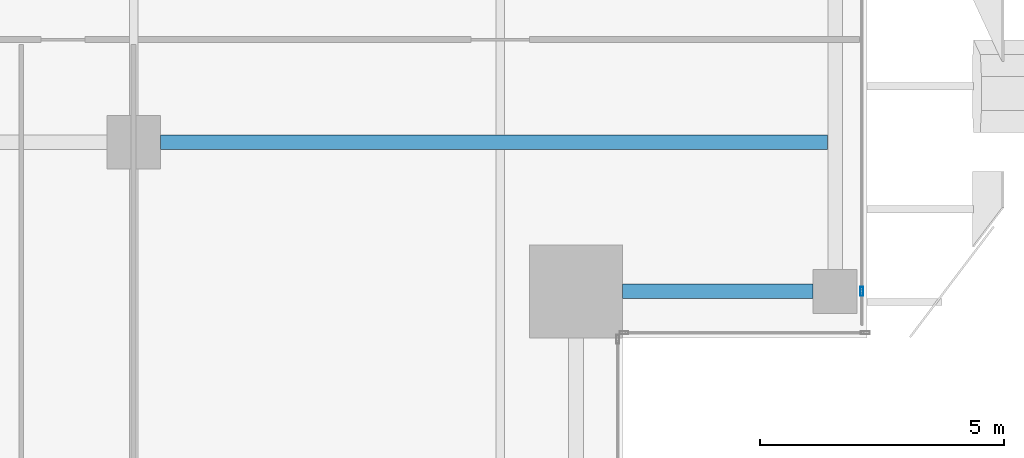
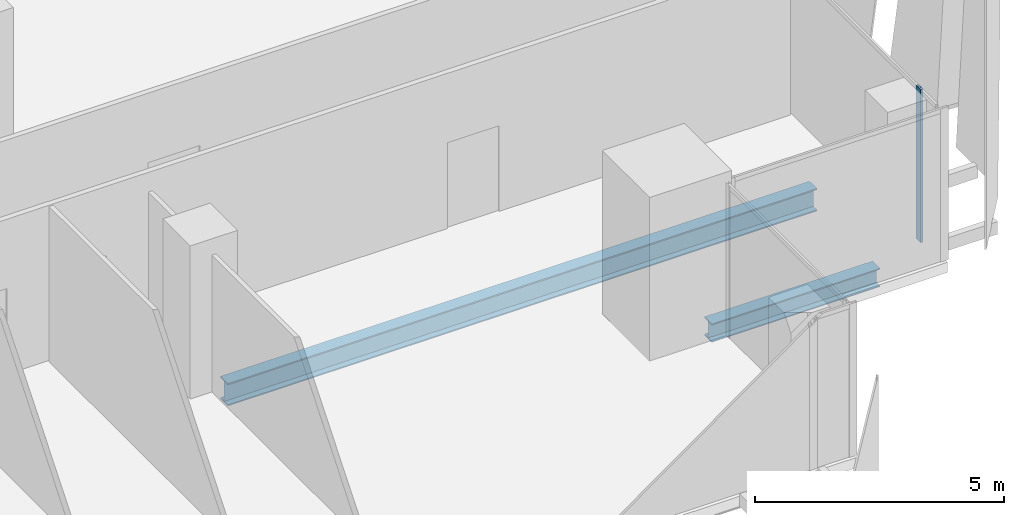
# One storey, part 9 of 35: 2 beams, 1 member, 1 element without a shape of its own.
"""IFC4 building model written with IfcOpenShell, lengths in metres."""

import ifcopenshell
import ifcopenshell.guid

model = None  # the IFC model being written
_history = None  # IfcOwnerHistory: only IFC2X3 demands one
_inside = {}  # id of a spatial element -> (the spatial element, [elements in it])
_under = {}  # id of a project, library or spatial element -> (it, [spatial elements below it])
_declared = {}  # id of a project -> (the project, [libraries it declares])
_typed = {}  # id of a type object -> (the type object, [elements of that type])
_made_of = {}  # id of a material, layer set ... -> (it, [elements and type objects made of it])


def new_model(schema):
    """Start an empty IFC model of exactly this schema.

    Asked for "IFC4X3", IfcOpenShell would pick the latest addendum, in which some entities
    have other attributes; the version numbers below select the first issue.
    IFC2X3 requires an IfcOwnerHistory on every rooted entity: one is made here for all.
    """
    global model, _history
    if schema == "IFC4X3":
        model = ifcopenshell.file(schema_version=(4, 3, 0, 0))
    else:
        model = ifcopenshell.file(schema=schema)
    _inside.clear()
    _under.clear()
    _declared.clear()
    _typed.clear()
    _made_of.clear()
    _history = None
    if model.schema == "IFC2X3":
        org = make("IfcOrganization", Name="unknown")
        user = make(
            "IfcPersonAndOrganization",
            ThePerson=make("IfcPerson", FamilyName="unknown"),
            TheOrganization=org,
        )
        app = make(
            "IfcApplication",
            ApplicationDeveloper=org,
            Version="unknown",
            ApplicationFullName="unknown",
            ApplicationIdentifier="unknown",
        )
        _history = make(
            "IfcOwnerHistory",
            OwningUser=user,
            OwningApplication=app,
            ChangeAction="ADDED",
            CreationDate=0,
        )
    return model


def make(cls, **values):
    """One entity of the class cls with the attributes given. An attribute that is None is left unset."""
    return model.create_entity(
        cls, **{name: value for name, value in values.items() if value is not None}
    )


def rooted(cls, **values):
    """An entity with a GlobalId (a new one), such as an element, a storey or a relation."""
    return make(cls, GlobalId=ifcopenshell.guid.new(), OwnerHistory=_history, **values)


def si_unit(unit_type, name, prefix=None):
    """IfcSIUnit, for example si_unit("LENGTHUNIT", "METRE", prefix="MILLI")."""
    return make("IfcSIUnit", UnitType=unit_type, Prefix=prefix, Name=name)


def assignment(units):
    """IfcUnitAssignment: the units of a project."""
    return None if units is None else make("IfcUnitAssignment", Units=units)


def point(xyz):
    """IfcCartesianPoint."""
    return None if xyz is None else make("IfcCartesianPoint", Coordinates=xyz)


def direction(xyz):
    """IfcDirection."""
    return None if xyz is None else make("IfcDirection", DirectionRatios=xyz)


def frame(location, z_axis=None, x_axis=None):
    """IfcAxis2Placement3D, a coordinate frame: its origin and axes. An axis left out is left unset."""
    return make(
        "IfcAxis2Placement3D",
        Location=point(location),
        Axis=direction(z_axis),
        RefDirection=direction(x_axis),
    )


def frame_2d(location, x_axis=None):
    """IfcAxis2Placement2D, a coordinate frame in the plane: its origin and x axis."""
    return make(
        "IfcAxis2Placement2D", Location=point(location), RefDirection=direction(x_axis)
    )


def origin():
    """The frame at (0, 0, 0) with its axes left unset."""
    return frame((0.0, 0.0, 0.0))


def origin_2d():
    """The frame at (0, 0) in the plane with its x axis left unset."""
    return frame_2d((0.0, 0.0))


def place(relative_to, where):
    """IfcLocalPlacement: puts the frame where relative to a parent placement (None: the world)."""
    return make(
        "IfcLocalPlacement", PlacementRelTo=relative_to, RelativePlacement=where
    )


def context(
    kind, dimensions, precision=None, world=None, true_north=None, identifier=None
):
    """IfcGeometricRepresentationContext, for example the 3D "Model" context."""
    return make(
        "IfcGeometricRepresentationContext",
        ContextIdentifier=identifier,
        ContextType=kind,
        CoordinateSpaceDimension=dimensions,
        Precision=precision,
        WorldCoordinateSystem=world,
        TrueNorth=true_north,
    )


def subcontext(parent, identifier, kind, view, scale=None):
    """IfcGeometricRepresentationSubContext, for example "Body" below "Model"."""
    return make(
        "IfcGeometricRepresentationSubContext",
        ContextIdentifier=identifier,
        ContextType=kind,
        ParentContext=parent,
        TargetScale=scale,
        TargetView=view,
    )


def project(units=None, contexts=None):
    """IfcProject with its units and contexts."""
    return rooted(
        "IfcProject",
        Name="project",
        RepresentationContexts=contexts,
        UnitsInContext=assignment(units),
    )


def spatial(cls, under=None, at=None, **own):
    """A site, building, storey or space (cls), placed at a placement, below another one or the project."""
    s = rooted(cls, ObjectPlacement=at, **own)
    if under is not None:
        _under.setdefault(under.id(), (under, []))[1].append(s)
    return s


def profile(cls, at=None, kind="AREA", **sizes):
    """A parametric profile (cls). Its sizes go by their IFC names, for example OverallWidth=200.0."""
    return make(cls, ProfileType=kind, Position=at, **sizes)


def hollow_rectangle(**sizes):
    """IfcRectangleHollowProfileDef."""
    return profile("IfcRectangleHollowProfileDef", **sizes)


def i_section(**sizes):
    """IfcIShapeProfileDef."""
    return profile("IfcIShapeProfileDef", **sizes)


def extrude(swept, where, along, depth):
    """IfcExtrudedAreaSolid: the profile swept, set in the frame where, extruded along a direction by depth."""
    return make(
        "IfcExtrudedAreaSolid",
        SweptArea=swept,
        Position=where,
        ExtrudedDirection=direction(along),
        Depth=depth,
    )


def shape(context_of_items, identifier, shape_type, items):
    """IfcShapeRepresentation: the items that make up one representation, for example the "Body"."""
    return make(
        "IfcShapeRepresentation",
        ContextOfItems=context_of_items,
        RepresentationIdentifier=identifier,
        RepresentationType=shape_type,
        Items=items,
    )


def source(mapping_origin, context_of_items, identifier, shape_type, items):
    """IfcRepresentationMap: a shape defined once, which mapped items show again and again."""
    return make(
        "IfcRepresentationMap",
        MappingOrigin=mapping_origin,
        MappedRepresentation=shape(context_of_items, identifier, shape_type, items),
    )


def transform(
    local_origin,
    x_axis=None,
    y_axis=None,
    z_axis=None,
    scale=None,
    scale2=None,
    scale3=None,
    uniform=True,
):
    """IfcCartesianTransformationOperator3D, or its non-uniform kind. x_axis, y_axis, z_axis: its Axis1, 2, 3."""
    if uniform:
        return make(
            "IfcCartesianTransformationOperator3D",
            Axis1=direction(x_axis),
            Axis2=direction(y_axis),
            LocalOrigin=point(local_origin),
            Scale=scale,
            Axis3=direction(z_axis),
        )
    return make(
        "IfcCartesianTransformationOperator3DnonUniform",
        Axis1=direction(x_axis),
        Axis2=direction(y_axis),
        LocalOrigin=point(local_origin),
        Scale=scale,
        Axis3=direction(z_axis),
        Scale2=scale2,
        Scale3=scale3,
    )


def mapped(mapping_source, mapping_target):
    """IfcMappedItem: shows the shape of a source again, moved by a transform."""
    return make(
        "IfcMappedItem", MappingSource=mapping_source, MappingTarget=mapping_target
    )


def material(Name=None, Category=None):
    """IfcMaterial."""
    return make("IfcMaterial", Name=Name, Category=Category)


def material_profile(
    of_material, cross_section, Name=None, Category=None, Priority=None
):
    """IfcMaterialProfile: a cross section and its material."""
    return make(
        "IfcMaterialProfile",
        Name=Name,
        Material=of_material,
        Profile=cross_section,
        Priority=Priority,
        Category=Category,
    )


def profile_set(profiles, Name=None, composite=None):
    """IfcMaterialProfileSet."""
    return make(
        "IfcMaterialProfileSet",
        Name=Name,
        MaterialProfiles=profiles,
        CompositeProfile=composite,
    )


def made_of(thing, what):
    """Note that an element or type object is made of a material, layer set ...; save() writes the relation."""
    if what is not None:
        _made_of.setdefault(what.id(), (what, []))[1].append(thing)
    return thing


def type_object(cls, material=None, **own):
    """A type object (cls), such as IfcWallType, which elements share."""
    return made_of(rooted(cls, **own), material)


def element(
    cls,
    number,
    at=None,
    inside=None,
    cuts=None,
    type_object=None,
    material=None,
    context=None,
    identifier="Body",
    shape_type=None,
    held_by="IfcProductDefinitionShape",
    body=None,
    shapes=None,
    **own,
):
    """One element of the class cls, such as IfcWall. Its Tag is "e" and its number.

    at: its placement. inside: the storey or other place that contains it. cuts: it is an
    opening in that element (IfcRelVoidsElement). A single representation is given by context,
    identifier, shape_type and body (its items); several are given by shapes. held_by: the class
    of the entity that holds the representations. save() writes the other relations.
    """
    e = rooted(cls, Tag="e%d" % number, ObjectPlacement=at, **own)
    if body is not None:
        shapes = [shape(context, identifier, shape_type, body)]
    if shapes is not None:
        e.Representation = make(held_by, Representations=shapes)
    if inside is not None:
        _inside.setdefault(inside.id(), (inside, []))[1].append(e)
    if cuts is not None:
        rooted(
            "IfcRelVoidsElement", RelatingBuildingElement=cuts, RelatedOpeningElement=e
        )
    if type_object is not None:
        _typed.setdefault(type_object.id(), (type_object, []))[1].append(e)
    return made_of(e, material)


def aggregate(whole, parts):
    """IfcRelAggregates: a whole, such as a stair, and the parts it consists of."""
    return rooted("IfcRelAggregates", RelatingObject=whole, RelatedObjects=parts)


def save(model, path):
    """Write the relations noted so far, then the file.

    IfcRelAggregates (storeys below a building ...), IfcRelContainedInSpatialStructure (elements
    in a storey), IfcRelDefinesByType, IfcRelAssociatesMaterial and IfcRelDeclares: one each for
    every whole, place, type object, material and project.
    """
    for whole, parts in _under.values():
        aggregate(whole, parts)
    for where, things in _inside.values():
        rooted(
            "IfcRelContainedInSpatialStructure",
            RelatedElements=things,
            RelatingStructure=where,
        )
    for kind, things in _typed.values():
        rooted("IfcRelDefinesByType", RelatedObjects=things, RelatingType=kind)
    for what, things in _made_of.values():
        rooted("IfcRelAssociatesMaterial", RelatedObjects=things, RelatingMaterial=what)
    for by, libraries in _declared.values():
        rooted("IfcRelDeclares", RelatingContext=by, RelatedDefinitions=libraries)
    model.write(path)


model = new_model("IFC4")

# Units and contexts
model_context = context("Model", 3, precision=1e-05, world=origin(), true_north=direction((0.0, 1.0)))
body_context = subcontext(model_context, "Body", "Model", "MODEL_VIEW")
ifc_project = project(units=[si_unit("LENGTHUNIT", "METRE"), si_unit("AREAUNIT", "SQUARE_METRE"), si_unit("VOLUMEUNIT", "CUBIC_METRE"), si_unit("PLANEANGLEUNIT", "RADIAN"), si_unit("MASSUNIT", "GRAM", prefix="KILO")], contexts=[model_context])

# Site, building, storey
site_placement = place(None, origin())
site = spatial("IfcSite", under=ifc_project, at=site_placement, CompositionType="ELEMENT")
building_placement = place(site_placement, origin())
building = spatial("IfcBuilding", under=site, at=building_placement, Name="Khomas Fold Tower", CompositionType="ELEMENT")
storey_placement = place(building_placement, frame((0.0, 0.0, 246.199951171875)))
storey = spatial("IfcBuildingStorey", under=building, at=storey_placement, Name="L55", CompositionType="ELEMENT", Elevation=246.199951171875)

# Beams
ifc_material_1 = material(Name="Steel S355", Category="steel")
ifc_material_profile_1 = material_profile(ifc_material_1, i_section(OverallWidth=0.300048828125, OverallDepth=0.449951171875, WebThickness=0.013916015625, FlangeThickness=0.02587890625, at=origin_2d()), Name="HE 450 B")
ifc_profile_set_1 = profile_set([ifc_material_profile_1], Name="Steel S355")
beam_type_1 = type_object("IfcBeamType", Name="HE 450 B spandrel SB4", PredefinedType="SPANDREL", material=ifc_profile_set_1)
shared_shape_1 = source(origin(), body_context, "Body", "SweptSolid", [
    extrude(i_section(OverallWidth=0.300048828125, OverallDepth=0.449951171875, WebThickness=0.013916015625, FlangeThickness=0.02587890625, at=origin_2d()), origin(), (0.0, 0.0, 1.0), 3.89990234375),
])
beam_1_placement = place(storey_placement, frame((44.5, 10.449951171875, -0.474853515625), z_axis=(1.0, 0.0, 0.0), x_axis=(0.0, 1.0, 0.0)))
element("IfcBeam", 1, at=beam_1_placement, inside=storey, type_object=beam_type_1, Name="SB4", PredefinedType="SPANDREL", context=body_context, shape_type="MappedRepresentation", body=[
    mapped(shared_shape_1, transform((0.0, 0.0, 0.0))),
])
ifc_material_2 = material(Name="Steel S355", Category="steel")
ifc_material_profile_2 = material_profile(ifc_material_2, i_section(OverallWidth=0.300048828125, OverallDepth=0.550048828125, WebThickness=0.014892578125, FlangeThickness=0.029052734375, at=origin_2d()), Name="HE 550 B")
ifc_profile_set_2 = profile_set([ifc_material_profile_2], Name="Steel S355")
beam_type_2 = type_object("IfcBeamType", Name="HE 550 B beam GB4", PredefinedType="BEAM", material=ifc_profile_set_2)
shared_shape_2 = source(origin(), body_context, "Body", "SweptSolid", [
    extrude(i_section(OverallWidth=0.300048828125, OverallDepth=0.550048828125, WebThickness=0.014892578125, FlangeThickness=0.029052734375, at=origin_2d()), origin(), (0.0, 0.0, 1.0), 13.64990234375),
])
beam_2_placement = place(storey_placement, frame((35.050048828125, 13.5, -0.52490234375), z_axis=(1.0, 0.0, 0.0), x_axis=(0.0, 1.0, 0.0)))
element("IfcBeam", 2, at=beam_2_placement, inside=storey, type_object=beam_type_2, Name="GB4", PredefinedType="BEAM", context=body_context, shape_type="MappedRepresentation", body=[
    mapped(shared_shape_2, transform((0.0, 0.0, 0.0))),
])

# Curtain wall, member
ifc_material_3 = material(Name="Aluminium framed double glazing", Category="aluminium")
curtain_wall_type = type_object("IfcCurtainWallType", Name="SK-Unitised clear-glass wall, office floors CW2", PredefinedType="NOTDEFINED", material=ifc_material_3)
curtain_wall_placement = place(storey_placement, origin())
curtain_wall = element("IfcCurtainWall", 3, at=curtain_wall_placement, inside=storey, type_object=curtain_wall_type, Name="CW2 run L55 03-0", PredefinedType="NOTDEFINED")
ifc_material_4 = material(Name="Aluminium", Category="aluminium")
ifc_material_profile_3 = material_profile(ifc_material_4, hollow_rectangle(XDim=0.06005859375, YDim=0.179931640625, WallThickness=0.00390625, at=origin_2d()), Name="SK-Unitised clear-glass wall, office floors mullion CW2-M")
ifc_profile_set_3 = profile_set([ifc_material_profile_3], Name="Aluminium")
member_type = type_object("IfcMemberType", Name="SK-Unitised clear-glass wall, office floors mullion CW2-M", PredefinedType="MULLION", material=ifc_profile_set_3)
shared_shape_3 = source(origin(), body_context, "Body", "SweptSolid", [
    extrude(hollow_rectangle(XDim=0.06005859375, YDim=0.179931640625, WallThickness=0.00390625, at=origin_2d()), origin(), (0.0, 0.0, 1.0), 3.75),
])
member_placement = place(storey_placement, frame((49.39990234375, 10.449951171875, 0.0), z_axis=(0.0, 0.0, 1.0), x_axis=(-1.0, 0.0, 0.0)))
member = element("IfcMember", 4, at=member_placement, type_object=member_type, Name="CW2 mullion 2", PredefinedType="MULLION", context=body_context, shape_type="MappedRepresentation", body=[
    mapped(shared_shape_3, transform((0.0, 0.0, 0.0))),
])
aggregate(curtain_wall, [member])

save(model, "model.ifc")
